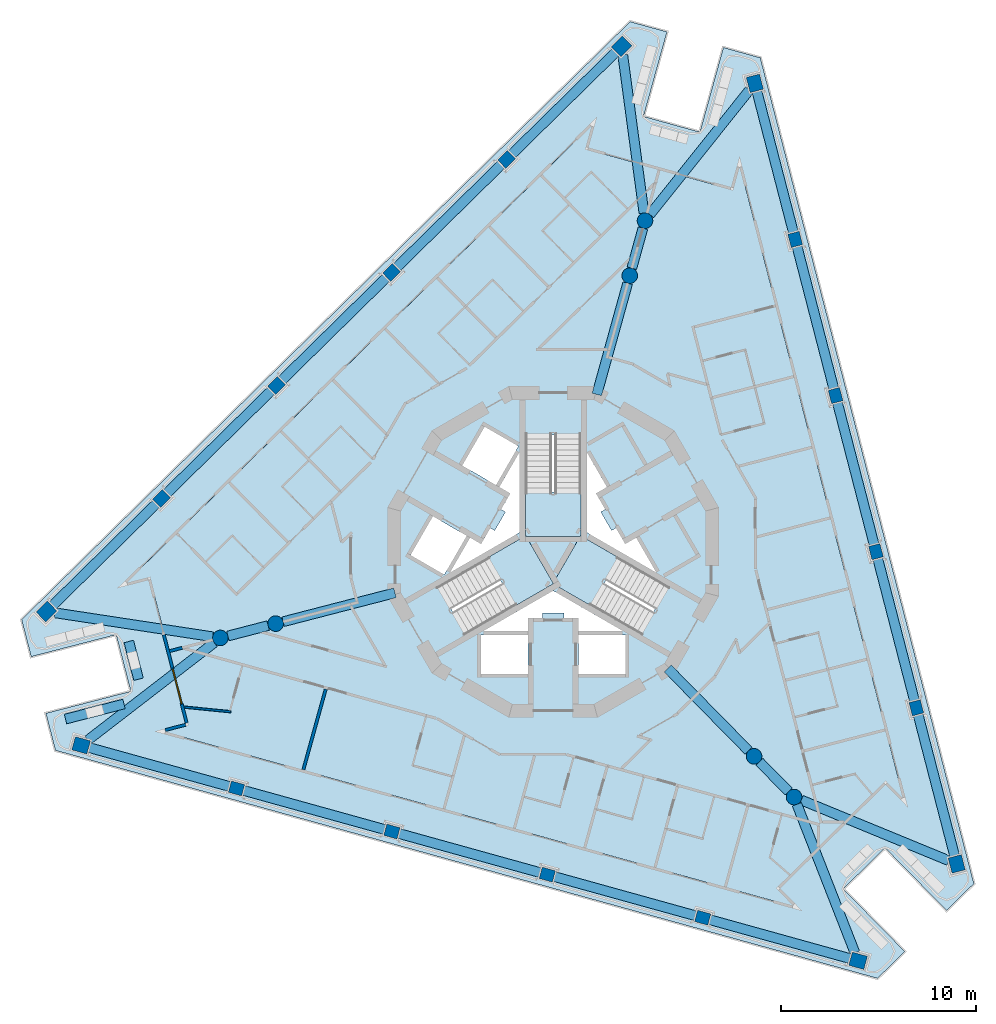
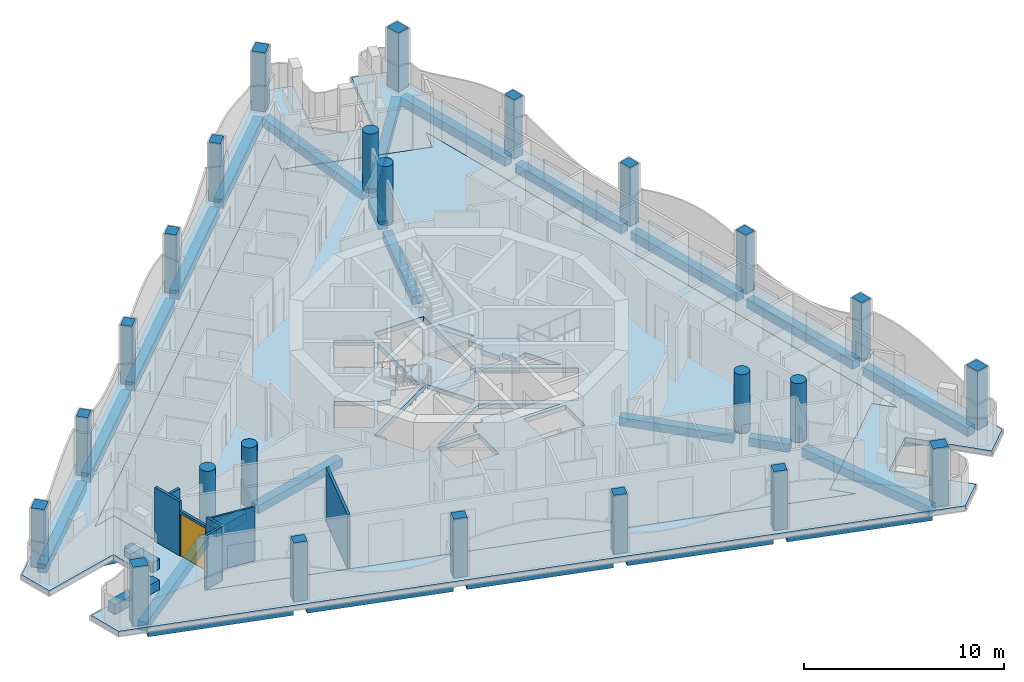
# One storey, part 1 of 14: 27 beams, 24 columns, 9 walls, 6 slabs, 1 door, 1 opening, 3 elements without a shape of their own.
"""IFC4 building model written with IfcOpenShell, lengths in metres."""

from ifc_helpers import new_model, si_unit, direction, frame, frame_2d, origin, origin_2d, place, context, subcontext, project, spatial, polyline, rectangle, circle, outline, extrude, material, layer, layer_set, material_profile, profile_set, type_object, element, fill, aggregate, save


model = new_model("IFC4")

# Units and contexts
model_context = context("Model", 3, precision=1e-05, world=origin(), true_north=direction((0.0, 1.0)))
body_context = subcontext(model_context, "Body", "Model", "MODEL_VIEW")
ifc_project = project(units=[si_unit("LENGTHUNIT", "METRE"), si_unit("AREAUNIT", "SQUARE_METRE"), si_unit("VOLUMEUNIT", "CUBIC_METRE"), si_unit("PLANEANGLEUNIT", "RADIAN"), si_unit("MASSUNIT", "GRAM", prefix="KILO")], contexts=[model_context])

# Site, building, storey
site_placement = place(None, origin())
site = spatial("IfcSite", under=ifc_project, at=site_placement, CompositionType="ELEMENT")
building_placement = place(site_placement, origin())
building = spatial("IfcBuilding", under=site, at=building_placement, Name="Trine Commons Tower", CompositionType="ELEMENT")
storey_placement = place(building_placement, frame((0.0, 0.0, 238.5)))
storey = spatial("IfcBuildingStorey", under=building, at=storey_placement, Name="L62", CompositionType="ELEMENT", Elevation=238.5)

# Columns
ifc_material_1 = material(Name="Concrete C50/60", Category="concrete")
ifc_material_profile_1 = material_profile(ifc_material_1, rectangle(XDim=0.699951171875, YDim=0.60009765625, at=origin_2d()), Name="RC 700x600")
ifc_profile_set_1 = profile_set([ifc_material_profile_1], Name="Concrete C50/60")
column_type_1 = type_object("IfcColumnType", Name="RC column 700x600, C50/60", PredefinedType="COLUMN", material=ifc_profile_set_1)
for number, where, z_axis, x_axis, name in (
    (1, (87.668701171875, 43.74072265625, 0.0), (0.0, 0.0, 1.0), (-0.963630453209, 0.267238376078, 0.0), "Column PC7-02 L62"),
    (2, (79.70068359375, 45.950439453125, 0.0), (0.0, 0.0, 1.0), (-0.963630453209, 0.267238376078, 0.0), "Column PC7-03 L62"),
    (3, (71.73291015625, 48.16015625, 0.0), (0.0, 0.0, 1.0), (-0.963630453209, 0.267238376078, 0.0), "Column PC7-04 L62"),
    (4, (63.764892578125, 50.369873046875, 0.0), (0.0, 0.0, 1.0), (-0.963630453209, 0.267238376078, 0.0), "Column PC7-05 L62"),
    (5, (59.91943359375, 65.23828125, 0.0), (0.0, 0.0, 1.0), (0.713250449154, 0.7009092643, 0.0), "Column PC7-08 L62"),
    (6, (65.817138671875, 71.033935546875, 0.0), (0.0, 0.0, 1.0), (0.713250449154, 0.7009092643, 0.0), "Column PC7-09 L62"),
    (7, (71.71484375, 76.82958984375, 0.0), (0.0, 0.0, 1.0), (0.713250449154, 0.7009092643, 0.0), "Column PC7-10 L62"),
    (8, (77.612548828125, 82.625244140625, 0.0), (0.0, 0.0, 1.0), (0.713250449154, 0.7009092643, 0.0), "Column PC7-11 L62"),
    (9, (92.41162109375, 78.52099609375, 0.0), (0.0, 0.0, 1.0), (-0.250380004054, 0.968147640378, 0.0), "Column PC7-14 L62"),
    (10, (94.48193359375, 70.515625, 0.0), (0.0, 0.0, 1.0), (-0.250380004054, 0.968147640378, 0.0), "Column PC7-15 L62"),
    (11, (96.55224609375, 62.51025390625, 0.0), (0.0, 0.0, 1.0), (-0.250380004054, 0.968147640378, 0.0), "Column PC7-16 L62"),
    (12, (98.622802734375, 54.5048828125, 0.0), (0.0, 0.0, 1.0), (-0.250380004054, 0.968147640378, 0.0), "Column PC7-17 L62"),
):
    element("IfcColumn", number, at=place(storey_placement, frame(where, z_axis=z_axis, x_axis=x_axis)), inside=storey, type_object=column_type_1, Name=name, PredefinedType="COLUMN", context=body_context, shape_type="SweptSolid", body=[
        extrude(rectangle(XDim=0.699951171875, YDim=0.60009765625, at=origin_2d()), origin(), (0.0, 0.0, 1.0), 3.60009765625),
    ])
ifc_material_profile_2 = material_profile(ifc_material_1, rectangle(XDim=0.800048828125, YDim=0.699951171875, at=origin_2d()), Name="RC 800x700")
ifc_profile_set_2 = profile_set([ifc_material_profile_2], Name="Concrete C50/60")
column_type_2 = type_object("IfcColumnType", Name="RC column 800x700, C50/60", PredefinedType="COLUMN", material=ifc_profile_set_2)
for number, where, z_axis, x_axis, name in (
    (13, (95.63671875, 41.531005859375, 0.0), (0.0, 0.0, 1.0), (-0.963630453209, 0.267238376078, 0.0), "Column PC7-01 L62"),
    (14, (55.796875, 52.57958984375, 0.0), (0.0, 0.0, 1.0), (-0.963630453209, 0.267238376078, 0.0), "Column PC7-06 L62"),
    (15, (54.02197265625, 59.442626953125, 0.0), (0.0, 0.0, 1.0), (0.713250449154, 0.7009092643, 0.0), "Column PC7-07 L62"),
    (16, (83.51025390625, 88.4208984375, 0.0), (0.0, 0.0, 1.0), (0.713250449154, 0.7009092643, 0.0), "Column PC7-12 L62"),
    (17, (90.34130859375, 86.5263671875, 0.0), (0.0, 0.0, 1.0), (-0.250380004054, 0.968147640378, 0.0), "Column PC7-13 L62"),
    (18, (100.693115234375, 46.499755859375, 0.0), (0.0, 0.0, 1.0), (-0.250380004054, 0.968147640378, 0.0), "Column PC7-18 L62"),
):
    element("IfcColumn", number, at=place(storey_placement, frame(where, z_axis=z_axis, x_axis=x_axis)), inside=storey, type_object=column_type_2, Name=name, PredefinedType="COLUMN", context=body_context, shape_type="SweptSolid", body=[
        extrude(rectangle(XDim=0.800048828125, YDim=0.699951171875, at=origin_2d()), origin(), (0.0, 0.0, 1.0), 3.60009765625),
    ])
ifc_material_profile_3 = material_profile(ifc_material_1, circle(Radius=0.39990234375, at=origin_2d()), Name="RC round 800")
ifc_profile_set_3 = profile_set([ifc_material_profile_3], Name="Concrete C50/60")
column_type_3 = type_object("IfcColumnType", Name="RC round column 800 mm, C50/60", PredefinedType="COLUMN", material=ifc_profile_set_3)
for number, where, z_axis, x_axis, name in (
    (19, (90.301513671875, 52.01708984375, 0.0), (0.0, 0.0, 1.0), (1.0, 0.0, 0.0), "Column WC7-1 L62"),
    (20, (92.352783203125, 49.9296875, 0.0), (0.0, 0.0, 1.0), (1.0, 0.0, 0.0), "Column WC7-2 L62"),
    (21, (83.927734375, 76.66259765625, 0.0), (0.0, 0.0, 1.0), (1.0, 0.0, 0.0), "Column WC7-3 L62"),
    (22, (84.709716796875, 79.48291015625, 0.0), (0.0, 0.0, 1.0), (1.0, 0.0, 0.0), "Column WC7-4 L62"),
    (23, (65.77099609375, 58.820068359375, 0.0), (0.0, 0.0, 1.0), (1.0, 0.0, 0.0), "Column WC7-5 L62"),
    (24, (62.9375, 58.08740234375, 0.0), (0.0, 0.0, 1.0), (1.0, 0.0, 0.0), "Column WC7-6 L62"),
):
    element("IfcColumn", number, at=place(storey_placement, frame(where, z_axis=z_axis, x_axis=x_axis)), inside=storey, type_object=column_type_3, Name=name, PredefinedType="COLUMN", context=body_context, shape_type="SweptSolid", body=[
        extrude(circle(Radius=0.39990234375, at=origin_2d()), origin(), (0.0, 0.0, 1.0), 3.60009765625),
    ])

# Beams
ifc_material_2 = material(Name="Concrete C40/50", Category="concrete")
ifc_material_profile_4 = material_profile(ifc_material_2, rectangle(XDim=0.5, YDim=0.5, at=origin_2d()), Name="RC 500x500")
ifc_profile_set_4 = profile_set([ifc_material_profile_4], Name="Concrete C40/50")
beam_type_1 = type_object("IfcBeamType", Name="RC beam 500x500, C40/50", PredefinedType="BEAM", material=ifc_profile_set_4)
beam_1_placement = place(storey_placement, frame((85.87353515625, 56.523193359375, -0.550048828125), z_axis=(0.700890997639, -0.713268399292, 0.0), x_axis=(0.713268399292, 0.700890997639, 0.0)))
element("IfcBeam", 25, at=beam_1_placement, inside=storey, type_object=beam_type_1, Name="Beam RB7-01 L62", PredefinedType="BEAM", context=body_context, shape_type="SweptSolid", body=[
    extrude(rectangle(XDim=0.5, YDim=0.5, at=origin_2d()), origin(), (0.0, 0.0, 1.0), 5.91748046875),
])
beam_2_placement = place(storey_placement, frame((90.581787109375, 51.73193359375, -0.550048828125), z_axis=(0.70093857454, -0.713221644877, 0.0), x_axis=(0.713221644877, 0.70093857454, 0.0)))
element("IfcBeam", 26, at=beam_2_placement, inside=storey, type_object=beam_type_1, Name="Beam RB7-02 L62", PredefinedType="BEAM", context=body_context, shape_type="SweptSolid", body=[
    extrude(rectangle(XDim=0.5, YDim=0.5, at=origin_2d()), origin(), (0.0, 0.0, 1.0), 2.126708984375),
])
beam_3_placement = place(storey_placement, frame((82.239501953125, 70.574951171875, -0.550048828125), z_axis=(0.267209770713, 0.963638385721, 0.0), x_axis=(-0.963638385721, 0.267209770713, 0.0)))
element("IfcBeam", 27, at=beam_3_placement, inside=storey, type_object=beam_type_1, Name="Beam RB7-03 L62", PredefinedType="BEAM", context=body_context, shape_type="SweptSolid", body=[
    extrude(rectangle(XDim=0.5, YDim=0.5, at=origin_2d()), origin(), (0.0, 0.0, 1.0), 5.917724609375),
])
beam_4_placement = place(storey_placement, frame((84.034423828125, 77.0478515625, -0.550048828125), z_axis=(0.267270963033, 0.963621415453, 0.0), x_axis=(-0.963621415453, 0.267270963033, 0.0)))
element("IfcBeam", 28, at=beam_4_placement, inside=storey, type_object=beam_type_1, Name="Beam RB7-04 L62", PredefinedType="BEAM", context=body_context, shape_type="SweptSolid", body=[
    extrude(rectangle(XDim=0.5, YDim=0.5, at=origin_2d()), origin(), (0.0, 0.0, 1.0), 2.12744140625),
])
beam_5_placement = place(storey_placement, frame((71.88720703125, 60.40185546875, -0.550048828125), z_axis=(-0.968150015074, -0.250370821607, 0.0), x_axis=(0.250370821607, -0.968150015074, 0.0)))
element("IfcBeam", 29, at=beam_5_placement, inside=storey, type_object=beam_type_1, Name="Beam RB7-05 L62", PredefinedType="BEAM", context=body_context, shape_type="SweptSolid", body=[
    extrude(rectangle(XDim=0.5, YDim=0.5, at=origin_2d()), origin(), (0.0, 0.0, 1.0), 5.91796875),
])
beam_6_placement = place(storey_placement, frame((65.384033203125, 58.72021484375, -0.550048828125), z_axis=(-0.968118610388, -0.250492227863, 0.0), x_axis=(0.250492227863, -0.968118610388, 0.0)))
element("IfcBeam", 30, at=beam_6_placement, inside=storey, type_object=beam_type_1, Name="Beam RB7-06 L62", PredefinedType="BEAM", context=body_context, shape_type="SweptSolid", body=[
    extrude(rectangle(XDim=0.5, YDim=0.5, at=origin_2d()), origin(), (0.0, 0.0, 1.0), 2.127685546875),
])
ifc_material_profile_5 = material_profile(ifc_material_2, rectangle(XDim=0.5, YDim=0.550048828125, at=origin_2d()), Name="RC 500x550")
ifc_profile_set_5 = profile_set([ifc_material_profile_5], Name="Concrete C40/50")
beam_type_2 = type_object("IfcBeamType", Name="RC beam 500x550, C40/50", PredefinedType="BEAM", material=ifc_profile_set_5)
beam_7_placement = place(storey_placement, frame((95.251220703125, 41.6376953125, -0.574951171875), z_axis=(-0.963621113681, 0.267272051042, 0.0), x_axis=(-0.267272051042, -0.963621113681, 0.0)))
element("IfcBeam", 31, at=beam_7_placement, inside=storey, type_object=beam_type_2, Name="Beam EB7-01 L62", PredefinedType="BEAM", context=body_context, shape_type="SweptSolid", body=[
    extrude(rectangle(XDim=0.5, YDim=0.550048828125, at=origin_2d()), origin(), (0.0, 0.0, 1.0), 7.5185546875),
])
for number, where, z_axis, x_axis, name in (
    (32, (87.33154296875, 43.834228515625, -0.574951171875), (-0.963628737279, 0.267244563445, 0.0), (-0.267244563445, -0.963628737279, 0.0), "Beam EB7-02 L62"),
    (33, (79.363525390625, 46.0439453125, -0.574951171875), (-0.963628737279, 0.267244563445, 0.0), (-0.267244563445, -0.963628737279, 0.0), "Beam EB7-03 L62"),
    (34, (71.3955078125, 48.253662109375, -0.574951171875), (-0.963628737279, 0.267244563445, 0.0), (-0.267244563445, -0.963628737279, 0.0), "Beam EB7-04 L62"),
):
    element("IfcBeam", number, at=place(storey_placement, frame(where, z_axis=z_axis, x_axis=x_axis)), inside=storey, type_object=beam_type_2, Name=name, PredefinedType="BEAM", context=body_context, shape_type="SweptSolid", body=[
        extrude(rectangle(XDim=0.5, YDim=0.550048828125, at=origin_2d()), origin(), (0.0, 0.0, 1.0), 7.56884765625),
    ])
for number, where, z_axis, x_axis, name in (
    (35, (63.427490234375, 50.46337890625, -0.574951171875), (-0.963629476257, 0.267241898827, 0.0), (-0.267241898827, -0.963629476257, 0.0), "Beam EB7-05 L62"),
    (36, (54.30712890625, 59.72314453125, -0.574951171875), (0.713265514722, 0.700893933137, 0.0), (-0.700893933137, 0.713265514722, 0.0), "Beam EB7-06 L62"),
):
    element("IfcBeam", number, at=place(storey_placement, frame(where, z_axis=z_axis, x_axis=x_axis)), inside=storey, type_object=beam_type_2, Name=name, PredefinedType="BEAM", context=body_context, shape_type="SweptSolid", body=[
        extrude(rectangle(XDim=0.5, YDim=0.550048828125, at=origin_2d()), origin(), (0.0, 0.0, 1.0), 7.5185546875),
    ])
for number, where, z_axis, x_axis, name in (
    (37, (60.169189453125, 65.483642578125, -0.574951171875), (0.713256929801, 0.700902669485, 0.0), (-0.700902669485, 0.713256929801, 0.0), "Beam EB7-07 L62"),
    (38, (66.06689453125, 71.279296875, -0.574951171875), (0.713256929801, 0.700902669485, 0.0), (-0.700902669485, 0.713256929801, 0.0), "Beam EB7-08 L62"),
    (39, (71.964599609375, 77.074951171875, -0.574951171875), (0.713241082752, 0.700918795492, 0.0), (-0.700918795492, 0.713241082752, 0.0), "Beam EB7-09 L62"),
):
    element("IfcBeam", number, at=place(storey_placement, frame(where, z_axis=z_axis, x_axis=x_axis)), inside=storey, type_object=beam_type_2, Name=name, PredefinedType="BEAM", context=body_context, shape_type="SweptSolid", body=[
        extrude(rectangle(XDim=0.5, YDim=0.550048828125, at=origin_2d()), origin(), (0.0, 0.0, 1.0), 7.568603515625),
    ])
beam_8_placement = place(storey_placement, frame((77.862060546875, 82.87060546875, -0.574951171875), z_axis=(0.713265514722, 0.700893933137, 0.0), x_axis=(-0.700893933137, 0.713265514722, 0.0)))
element("IfcBeam", 40, at=beam_8_placement, inside=storey, type_object=beam_type_2, Name="Beam EB7-10 L62", PredefinedType="BEAM", context=body_context, shape_type="SweptSolid", body=[
    extrude(rectangle(XDim=0.5, YDim=0.550048828125, at=origin_2d()), origin(), (0.0, 0.0, 1.0), 7.5185546875),
])
beam_9_placement = place(storey_placement, frame((90.441650390625, 86.13916015625, -0.574951171875), z_axis=(0.250381772483, -0.96814718303, 0.0), x_axis=(0.96814718303, 0.250381772483, 0.0)))
element("IfcBeam", 41, at=beam_9_placement, inside=storey, type_object=beam_type_2, Name="Beam EB7-11 L62", PredefinedType="BEAM", context=body_context, shape_type="SweptSolid", body=[
    extrude(rectangle(XDim=0.5, YDim=0.550048828125, at=origin_2d()), origin(), (0.0, 0.0, 1.0), 7.518798828125),
])
for number, where, z_axis, x_axis, name in (
    (42, (92.499267578125, 78.18212890625, -0.574951171875), (0.250375524013, -0.968148798985, 0.0), (0.968148798985, 0.250375524013, 0.0), "Beam EB7-12 L62"),
    (43, (94.569580078125, 70.1767578125, -0.574951171875), (0.250375524013, -0.968148798985, 0.0), (0.968148798985, 0.250375524013, 0.0), "Beam EB7-13 L62"),
    (44, (96.639892578125, 62.17138671875, -0.574951171875), (0.250413578195, -0.968138956894, 0.0), (0.968138956894, 0.250413578195, 0.0), "Beam EB7-14 L62"),
):
    element("IfcBeam", number, at=place(storey_placement, frame(where, z_axis=z_axis, x_axis=x_axis)), inside=storey, type_object=beam_type_2, Name=name, PredefinedType="BEAM", context=body_context, shape_type="SweptSolid", body=[
        extrude(rectangle(XDim=0.5, YDim=0.550048828125, at=origin_2d()), origin(), (0.0, 0.0, 1.0), 7.568603515625),
    ])
beam_10_placement = place(storey_placement, frame((98.710205078125, 54.166015625, -0.574951171875), z_axis=(0.250389643834, -0.96814514731, 0.0), x_axis=(0.96814514731, 0.250389643834, 0.0)))
element("IfcBeam", 45, at=beam_10_placement, inside=storey, type_object=beam_type_2, Name="Beam EB7-15 L62", PredefinedType="BEAM", context=body_context, shape_type="SweptSolid", body=[
    extrude(rectangle(XDim=0.5, YDim=0.550048828125, at=origin_2d()), origin(), (0.0, 0.0, 1.0), 7.5185546875),
])
beam_11_placement = place(storey_placement, frame((56.143310546875, 52.8466796875, -0.574951171875), z_axis=(0.79181565557, 0.610760155539, 0.0), x_axis=(-0.610760155539, 0.79181565557, 0.0)))
element("IfcBeam", 46, at=beam_11_placement, inside=storey, type_object=beam_type_2, Name="Beam CB7-01 L62", PredefinedType="BEAM", context=body_context, shape_type="SweptSolid", body=[
    extrude(rectangle(XDim=0.5, YDim=0.550048828125, at=origin_2d()), origin(), (0.0, 0.0, 1.0), 8.180908203125),
])
for number, where, z_axis, x_axis, name in (
    (47, (54.454345703125, 59.376953125, -0.574951171875), (0.98863822303, -0.150314550074, 0.0), (0.150314550074, 0.98863822303, 0.0), "Beam CB7-02 L62"),
    (48, (83.568359375, 87.9873046875, -0.574951171875), (0.1330354713, -0.99111127699, 0.0), (0.99111127699, 0.1330354713, 0.0), "Beam CB7-03 L62"),
):
    element("IfcBeam", number, at=place(storey_placement, frame(where, z_axis=z_axis, x_axis=x_axis)), inside=storey, type_object=beam_type_2, Name=name, PredefinedType="BEAM", context=body_context, shape_type="SweptSolid", body=[
        extrude(rectangle(XDim=0.5, YDim=0.550048828125, at=origin_2d()), origin(), (0.0, 0.0, 1.0), 8.18115234375),
    ])
beam_12_placement = place(storey_placement, frame((90.068115234375, 86.184814453125, -0.574951171875), z_axis=(-0.624465738686, -0.781052201333, 0.0), x_axis=(0.781052201333, -0.624465738686, 0.0)))
element("IfcBeam", 49, at=beam_12_placement, inside=storey, type_object=beam_type_2, Name="Beam CB7-04 L62", PredefinedType="BEAM", context=body_context, shape_type="SweptSolid", body=[
    extrude(rectangle(XDim=0.5, YDim=0.550048828125, at=origin_2d()), origin(), (0.0, 0.0, 1.0), 8.180908203125),
])
beam_13_placement = place(storey_placement, frame((100.28857421875, 46.666015625, -0.574951171875), z_axis=(-0.924841797532, 0.380352007407, 0.0), x_axis=(-0.380352007407, -0.924841797532, 0.0)))
element("IfcBeam", 50, at=beam_13_placement, inside=storey, type_object=beam_type_2, Name="Beam CB7-05 L62", PredefinedType="BEAM", context=body_context, shape_type="SweptSolid", body=[
    extrude(rectangle(XDim=0.5, YDim=0.550048828125, at=origin_2d()), origin(), (0.0, 0.0, 1.0), 8.1806640625),
])
beam_14_placement = place(storey_placement, frame((95.4775390625, 41.938232421875, -0.574951171875), z_axis=(-0.36416079705, 0.931336090727, 0.0), x_axis=(-0.931336090727, -0.36416079705, 0.0)))
element("IfcBeam", 51, at=beam_14_placement, inside=storey, type_object=beam_type_2, Name="Beam CB7-06 L62", PredefinedType="BEAM", context=body_context, shape_type="SweptSolid", body=[
    extrude(rectangle(XDim=0.5, YDim=0.550048828125, at=origin_2d()), origin(), (0.0, 0.0, 1.0), 8.18115234375),
])

# Slabs
ifc_layer_1 = layer(ifc_material_2, 0.300048828125)
ifc_layer_set_1 = layer_set([ifc_layer_1], Name="Concrete C40/50")
slab_type_1 = type_object("IfcSlabType", Name="Loggia slab 300 mm, C40/50", PredefinedType="FLOOR", material=ifc_layer_set_1)
slab_1_placement = place(storey_placement, frame((0.0, 0.0, -0.300048828125)))
element("IfcSlab", 52, at=slab_1_placement, inside=storey, type_object=slab_type_1, Name="Loggia slab L62", PredefinedType="FLOOR", context=body_context, shape_type="SweptSolid", body=[
    extrude(outline(polyline([(101.57421875, 45.488037109375), (90.621826171875, 87.83837890625), (88.72900390625, 88.36328125), (87.526611328125, 84.02685546875), (84.6357421875, 84.82861328125), (85.838134765625, 89.1650390625), (83.945556640625, 89.68994140625), (52.745361328125, 59.029541015625), (53.2373046875, 57.1279296875), (57.593994140625, 58.254638671875), (58.344970703125, 55.350341796875), (53.98828125, 54.2236328125), (54.47998046875, 52.322021484375), (96.6328125, 40.632080078125), (98.03369140625, 42.0087890625), (94.879638671875, 45.218505859375), (97.019287109375, 47.321044921875), (100.17333984375, 44.111572265625), (101.57421875, 45.488037109375)]), holes=[polyline([(59.31640625, 61.17919921875), (61.26953125, 53.627685546875), (59.96728515625, 53.291015625), (92.42822265625, 44.28857421875), (91.485595703125, 45.248046875), (97.048828125, 50.715087890625), (97.99169921875, 49.755615234375), (89.557373046875, 82.368896484375), (89.197998046875, 81.07275390625), (81.681640625, 83.1572265625), (82.041015625, 84.453369140625), (58.014404296875, 60.84228515625), (59.31640625, 61.17919921875)])]), origin(), (0.0, 0.0, 1.0), 0.300048828125),
])
ifc_layer_2 = layer(ifc_material_2, 0.300048828125)
ifc_layer_set_2 = layer_set([ifc_layer_2], Name="Concrete C40/50")
slab_type_2 = type_object("IfcSlabType", Name="PT flat slab 300 mm, C40/50", PredefinedType="FLOOR", material=ifc_layer_set_2)
slab_2_placement = place(storey_placement, frame((0.0, 0.0, -0.300048828125)))
element("IfcSlab", 53, at=slab_2_placement, inside=storey, type_object=slab_type_2, Name="Floor slab L62", PredefinedType="FLOOR", context=body_context, shape_type="SweptSolid", body=[
    extrude(outline(polyline([(58.014404296875, 60.84228515625), (59.31640625, 61.17919921875), (61.26953125, 53.627685546875), (59.96728515625, 53.291015625), (92.42822265625, 44.28857421875), (91.485595703125, 45.248046875), (97.048828125, 50.715087890625), (97.99169921875, 49.755615234375), (89.557373046875, 82.368896484375), (89.197998046875, 81.07275390625), (81.681640625, 83.1572265625), (82.041015625, 84.453369140625), (58.014404296875, 60.84228515625)]), holes=[polyline([(78.699951171875, 56.25), (78.699951171875, 58.25), (76.300048828125, 58.25), (76.300048828125, 56.25), (78.699951171875, 56.25)]), polyline([(83.699951171875, 56.25), (83.699951171875, 58.25), (81.300048828125, 58.25), (81.300048828125, 56.25), (83.699951171875, 56.25)]), polyline([(81.300048828125, 58.449951171875), (83.56494140625, 58.449951171875), (80.0, 60.508056640625), (76.43505859375, 58.449951171875), (78.699951171875, 58.449951171875), (78.85009765625, 59.10009765625), (79.449951171875, 59.10009765625), (79.449951171875, 59.360107421875), (80.550048828125, 59.360107421875), (80.550048828125, 59.10009765625), (81.14990234375, 59.10009765625), (81.300048828125, 58.449951171875)]), polyline([(81.425048828125, 63.32275390625), (81.425048828125, 68.490478515625), (78.574951171875, 68.490478515625), (78.574951171875, 63.32275390625), (74.099609375, 60.73876953125), (75.5244140625, 58.2705078125), (80.0, 60.8544921875), (84.4755859375, 58.2705078125), (85.900390625, 60.73876953125), (81.425048828125, 63.32275390625)]), polyline([(72.687255859375, 62.333984375), (74.41943359375, 61.333984375), (75.5693359375, 63.325927734375), (73.83740234375, 64.325927734375), (72.687255859375, 62.333984375)]), polyline([(76.381103515625, 63.031005859375), (75.742919921875, 63.22607421875), (74.7099609375, 61.43798828125), (78.27490234375, 63.49609375), (78.27490234375, 67.612060546875), (77.242919921875, 65.823974609375), (77.73095703125, 65.368896484375), (77.3310546875, 64.676025390625), (77.555908203125, 64.5458984375), (77.006103515625, 63.593994140625), (76.781005859375, 63.722900390625), (76.381103515625, 63.031005859375)]), polyline([(82.993896484375, 63.593994140625), (82.444091796875, 64.5458984375), (82.72705078125, 64.7099609375), (82.281005859375, 65.549072265625), (82.757080078125, 65.823974609375), (81.72509765625, 67.612060546875), (81.72509765625, 63.49609375), (85.2900390625, 61.43798828125), (84.257080078125, 63.22607421875), (83.618896484375, 63.031005859375), (83.243896484375, 63.738037109375), (82.993896484375, 63.593994140625)]), polyline([(76.4873046875, 68.916015625), (75.33740234375, 66.924072265625), (77.0693359375, 65.924072265625), (78.219482421875, 67.916015625), (76.4873046875, 68.916015625)])]), origin(), (0.0, 0.0, 1.0), 0.300048828125),
])
slab_3_placement = place(storey_placement, frame((0.0, 0.0, -0.300048828125)))
element("IfcSlab", 54, at=slab_3_placement, inside=storey, type_object=slab_type_2, Name="Floor slab L62 2", PredefinedType="FLOOR", context=body_context, shape_type="SweptSolid", body=[
    extrude(outline(polyline([(81.38671875, 63.300537109375), (78.61328125, 63.300537109375), (80.0, 60.89892578125), (81.38671875, 63.300537109375)])), origin(), (0.0, 0.0, 1.0), 0.300048828125),
])

# Stair, slab
stair_type = type_object("IfcStairType", Name="Exit stair, dog-leg, 24 risers of 150 mm", PredefinedType="HALF_TURN_STAIR", material=ifc_material_1)
stair_1_placement = place(storey_placement, origin())
stair_1 = element("IfcStair", 55, at=stair_1_placement, inside=storey, type_object=stair_type, Name="L62 Exit stair ST1C", PredefinedType="HALF_TURN_STAIR")
ifc_layer_3 = layer(ifc_material_1, 0.199951171875)
ifc_layer_set_3 = layer_set([ifc_layer_3], Name="Concrete C50/60")
slab_type_3 = type_object("IfcSlabType", Name="Stair landing slab 200 mm, C50/60", PredefinedType="LANDING", material=ifc_layer_set_3)
slab_4_placement = place(storey_placement, frame((0.0, 0.0, 1.60009765625)))
slab_4 = element("IfcSlab", 56, at=slab_4_placement, type_object=slab_type_3, Name="ST1C landing 1", PredefinedType="LANDING", context=body_context, shape_type="SweptSolid", body=[
    extrude(outline(polyline([(78.574951171875, 65.570556640625), (78.574951171875, 63.300537109375), (81.425048828125, 63.300537109375), (81.425048828125, 65.570556640625), (78.574951171875, 65.570556640625)])), origin(), (0.0, 0.0, 1.0), 0.199951171875),
])
aggregate(stair_1, [slab_4])

stair_2_placement = place(storey_placement, origin())
stair_2 = element("IfcStair", 57, at=stair_2_placement, inside=storey, type_object=stair_type, Name="L62 Exit stair ST2C", PredefinedType="HALF_TURN_STAIR")
slab_5_placement = place(storey_placement, frame((0.0, 0.0, 1.60009765625)))
slab_5 = element("IfcSlab", 58, at=slab_5_placement, type_object=slab_type_3, Name="ST2C landing 1", PredefinedType="LANDING", context=body_context, shape_type="SweptSolid", body=[
    extrude(outline(polyline([(78.05322265625, 59.730712890625), (80.019287109375, 60.86572265625), (78.59423828125, 63.333740234375), (76.628173828125, 62.19873046875), (78.05322265625, 59.730712890625)])), origin(), (0.0, 0.0, 1.0), 0.199951171875),
])
aggregate(stair_2, [slab_5])

stair_3_placement = place(storey_placement, origin())
stair_3 = element("IfcStair", 59, at=stair_3_placement, inside=storey, type_object=stair_type, Name="L62 Exit stair ST3C", PredefinedType="HALF_TURN_STAIR")
slab_6_placement = place(storey_placement, frame((0.0, 0.0, 1.60009765625)))
slab_6 = element("IfcSlab", 60, at=slab_6_placement, type_object=slab_type_3, Name="ST3C landing 1", PredefinedType="LANDING", context=body_context, shape_type="SweptSolid", body=[
    extrude(outline(polyline([(83.371826171875, 62.19873046875), (81.40576171875, 63.333740234375), (79.980712890625, 60.86572265625), (81.94677734375, 59.730712890625), (83.371826171875, 62.19873046875)])), origin(), (0.0, 0.0, 1.0), 0.199951171875),
])
aggregate(stair_3, [slab_6])

# Walls
ifc_material_3 = material(Name="Aluminium-framed insulated wall panel", Category="aluminium")
ifc_layer_4 = layer(ifc_material_3, 0.14990234375)
ifc_layer_set_4 = layer_set([ifc_layer_4], Name="Aluminium-framed insulated wall panel")
wall_type_1 = type_object("IfcWallType", Name="Glazed frame wall 150, EI 60", PredefinedType="SOLIDWALL", material=ifc_layer_set_4)
wall_1_placement = place(storey_placement, frame((59.95849609375, 53.32470703125, 0.0), z_axis=(0.0, 0.0, 1.0), x_axis=(0.968124150503, 0.250470815091, 0.0)))
element("IfcWall", 61, at=wall_1_placement, inside=storey, type_object=wall_type_1, Name="Glazed frame wall R10", PredefinedType="SOLIDWALL", context=body_context, shape_type="SweptSolid", body=[
    extrude(outline(polyline([(0.1494140625, 0.074951171875), (0.1494140625, -0.074951171875), (1.235107421875, -0.074951171875), (1.235107421875, 0.074951171875), (0.1494140625, 0.074951171875)])), origin(), (0.0, 0.0, 1.0), 3.300048828125),
])
wall_2_placement = place(storey_placement, frame((61.235595703125, 53.618896484375, 0.0), z_axis=(0.0, 0.0, 1.0), x_axis=(-0.250361300835, 0.968152477167, 0.0)))
element("IfcWall", 62, at=wall_2_placement, inside=storey, type_object=wall_type_1, Name="Glazed frame wall P3.1", PredefinedType="SOLIDWALL", context=body_context, shape_type="SweptSolid", body=[
    extrude(outline(polyline([(0.110107421875, -0.074951171875), (1.10009765625, -0.074951171875), (1.10009765625, 0.074951171875), (0.110107421875, 0.074951171875), (0.110107421875, -0.074951171875)])), origin(), (0.0, 0.0, 1.0), 3.300048828125),
])

# Wall, opening, door
wall_3_placement = place(storey_placement, frame((60.960205078125, 54.683837890625, 0.0), z_axis=(0.0, 0.0, 1.0), x_axis=(-0.250450586115, 0.968129383871, 0.0)))
wall_3 = element("IfcWall", 63, at=wall_3_placement, inside=storey, type_object=wall_type_1, Name="Glazed frame wall P3.2", PredefinedType="SOLIDWALL", context=body_context, shape_type="SweptSolid", body=[
    extrude(outline(polyline([(0.0, -0.074951171875), (1.92138671875, -0.074951171875), (1.92138671875, 0.074951171875), (0.0, 0.074951171875), (0.0, -0.074951171875)])), origin(), (0.0, 0.0, 1.0), 2.75),
])
opening_placement = place(wall_3_placement, frame((0.050048828125, 0.0, 0.0)))
opening = element("IfcOpeningElement", 64, at=opening_placement, cuts=wall_3, Name="Opening BD-7P3-01", PredefinedType="OPENING", context=body_context, shape_type="SweptSolid", body=[
    extrude(rectangle(XDim=1.800048828125, YDim=2.60009765625, at=frame_2d((0.89990234375, 1.300048828125))), frame((0.0, 0.0849609375, 0.0), z_axis=(0.0, -1.0, 0.0), x_axis=(1.0, 0.0, 0.0)), (0.0, 0.0, 1.0), 0.169921875),
])
ifc_material_4 = material(Name="Anodised aluminium frame with double glazing", Category="aluminium")
door_type = type_object("IfcDoorType", Name="Sliding loggia door 1800x2600", OperationType="SLIDING_TO_LEFT", PredefinedType="DOOR", material=ifc_material_4)
door_placement = place(opening_placement, origin())
door = element("IfcDoor", 65, at=door_placement, inside=storey, type_object=door_type, Name="Loggia door P3 1", OperationType="SLIDING_TO_LEFT", OverallHeight=2.60009765625, OverallWidth=1.800048828125, PredefinedType="DOOR", context=body_context, shape_type="SweptSolid", body=[
    extrude(rectangle(XDim=1.800048828125, YDim=2.60009765625, at=frame_2d((0.89990234375, 1.300048828125))), frame((0.0, 0.02490234375, 0.0), z_axis=(0.0, -1.0, 0.0), x_axis=(1.0, 0.0, 0.0)), (0.0, 0.0, 1.0), 0.050048828125),
])
fill(opening, door)

# Walls
wall_4_placement = place(storey_placement, frame((60.47900390625, 56.5439453125, 0.0), z_axis=(0.0, 0.0, 1.0), x_axis=(-0.250373840462, 0.968149234371, 0.0)))
element("IfcWall", 66, at=wall_4_placement, inside=storey, type_object=wall_type_1, Name="Glazed frame wall P3.3", PredefinedType="SOLIDWALL", context=body_context, shape_type="SweptSolid", body=[
    extrude(outline(polyline([(0.0, -0.074951171875), (1.757080078125, -0.074951171875), (1.757080078125, 0.074951171875), (0.0, 0.074951171875), (0.0, -0.074951171875)])), origin(), (0.0, 0.0, 1.0), 3.300048828125),
])
ifc_material_5 = material(Name="Planter trough, precast concrete C40/50", Category="concrete")
ifc_layer_5 = layer(ifc_material_5, 0.5)
ifc_layer_set_5 = layer_set([ifc_layer_5], Name="Planter trough, precast concrete C40/50")
wall_type_2 = type_object("IfcWallType", Name="Planter trough 500x600", PredefinedType="PARAPET", material=ifc_layer_set_5)
wall_5_placement = place(storey_placement, frame((54.994873046875, 53.92626953125, 0.0), z_axis=(0.0, 0.0, 1.0), x_axis=(0.968151190511, 0.250366276306, 0.0)))
element("IfcWall", 67, at=wall_5_placement, inside=storey, type_object=wall_type_2, Name="Planter 1", PredefinedType="PARAPET", context=body_context, shape_type="SweptSolid", body=[
    extrude(rectangle(XDim=3.099853515625, YDim=0.5, at=frame_2d((1.5498046875, 0.0))), origin(), (0.0, 0.0, 1.0), 0.60009765625),
])
wall_6_placement = place(storey_placement, frame((58.74267578125, 55.969482421875, 0.0), z_axis=(0.0, 0.0, 1.0), x_axis=(-0.250483427189, 0.968120887443, 0.0)))
element("IfcWall", 68, at=wall_6_placement, inside=storey, type_object=wall_type_2, Name="Planter 2", PredefinedType="PARAPET", context=body_context, shape_type="SweptSolid", body=[
    extrude(rectangle(XDim=2.0, YDim=0.5, at=frame_2d((1.0, 0.0))), origin(), (0.0, 0.0, 1.0), 0.60009765625),
])
ifc_material_6 = material(Name="Gypsum plasterboard on steel stud", Category="steel")
ifc_layer_6 = layer(ifc_material_6, 0.14990234375)
ifc_layer_set_6 = layer_set([ifc_layer_6], Name="Gypsum plasterboard on steel stud")
wall_type_3 = type_object("IfcWallType", Name="Unit and corridor wall 150 mm, EI 60", PredefinedType="PARTITIONING", material=ifc_layer_set_6)
wall_7_placement = place(storey_placement, frame((60.331787109375, 57.4130859375, 0.0), z_axis=(0.0, 0.0, 1.0), x_axis=(0.968209183311, 0.250141914426, 0.0)))
element("IfcWall", 69, at=wall_7_placement, inside=storey, type_object=wall_type_3, Name="Partition 001", PredefinedType="PARTITIONING", context=body_context, shape_type="SweptSolid", body=[
    extrude(rectangle(XDim=0.67138671875, YDim=0.14990234375, at=frame_2d((0.335693359375, 0.0))), origin(), (0.0, 0.0, 1.0), 3.300048828125),
])
wall_8_placement = place(storey_placement, frame((67.191650390625, 51.32861328125, 0.0), z_axis=(0.0, 0.0, 1.0), x_axis=(0.267270648008, 0.963621502828, 0.0)))
element("IfcWall", 70, at=wall_8_placement, inside=storey, type_object=wall_type_3, Name="Partition 016", PredefinedType="PARTITIONING", context=body_context, shape_type="SweptSolid", body=[
    extrude(rectangle(XDim=4.284912109375, YDim=0.14990234375, at=frame_2d((2.142578125, 0.0))), origin(), (0.0, 0.0, 1.0), 3.300048828125),
])
ifc_layer_7 = layer(ifc_material_6, 0.10009765625)
ifc_layer_set_7 = layer_set([ifc_layer_7], Name="Gypsum plasterboard on steel stud")
wall_type_4 = type_object("IfcWallType", Name="Unit partition 100 mm, no rating", PredefinedType="PARTITIONING", material=ifc_layer_set_7)
wall_9_placement = place(storey_placement, frame((61.07177734375, 54.54296875, 0.0), z_axis=(0.0, 0.0, 1.0), x_axis=(0.994963516173, -0.100237724861, 0.0)))
element("IfcWall", 71, at=wall_9_placement, inside=storey, type_object=wall_type_4, Name="Partition 005", PredefinedType="PARTITIONING", context=body_context, shape_type="SweptSolid", body=[
    extrude(rectangle(XDim=2.404052734375, YDim=0.10009765625, at=frame_2d((1.2021484375, 0.0))), origin(), (0.0, 0.0, 1.0), 3.300048828125),
])

save(model, "model.ifc")
